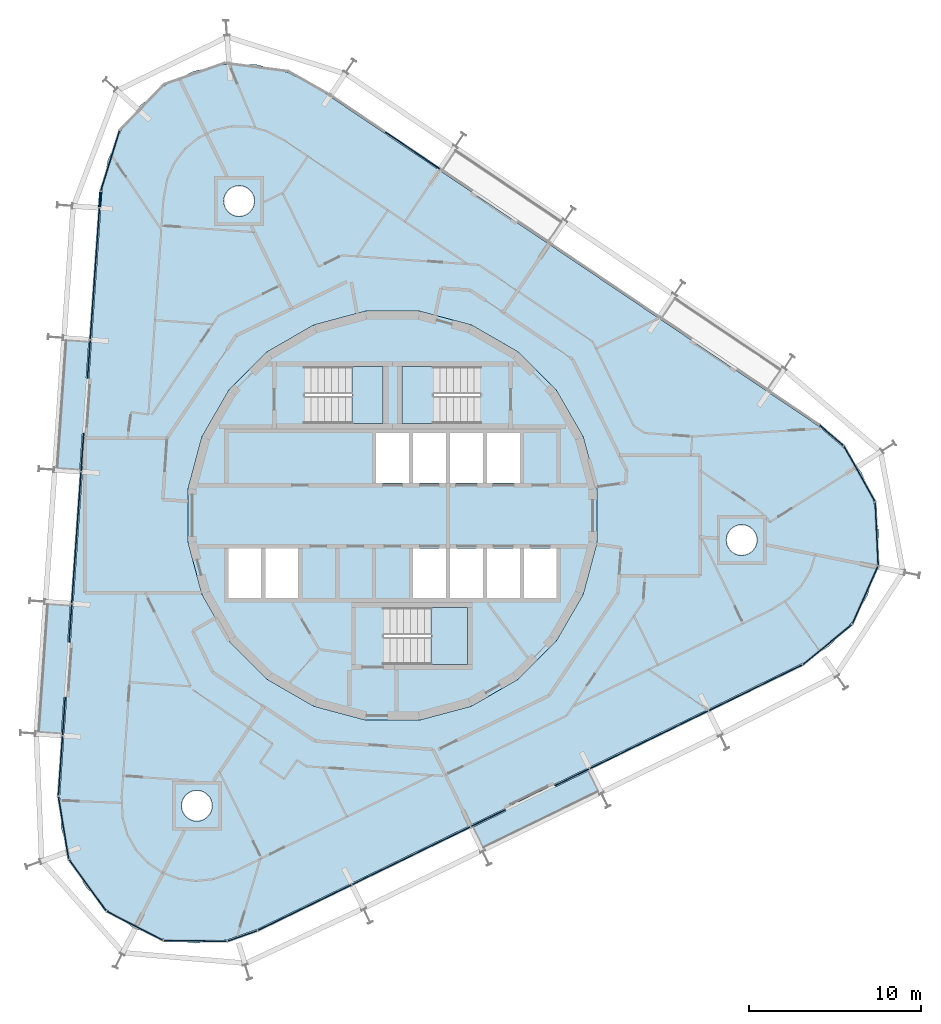
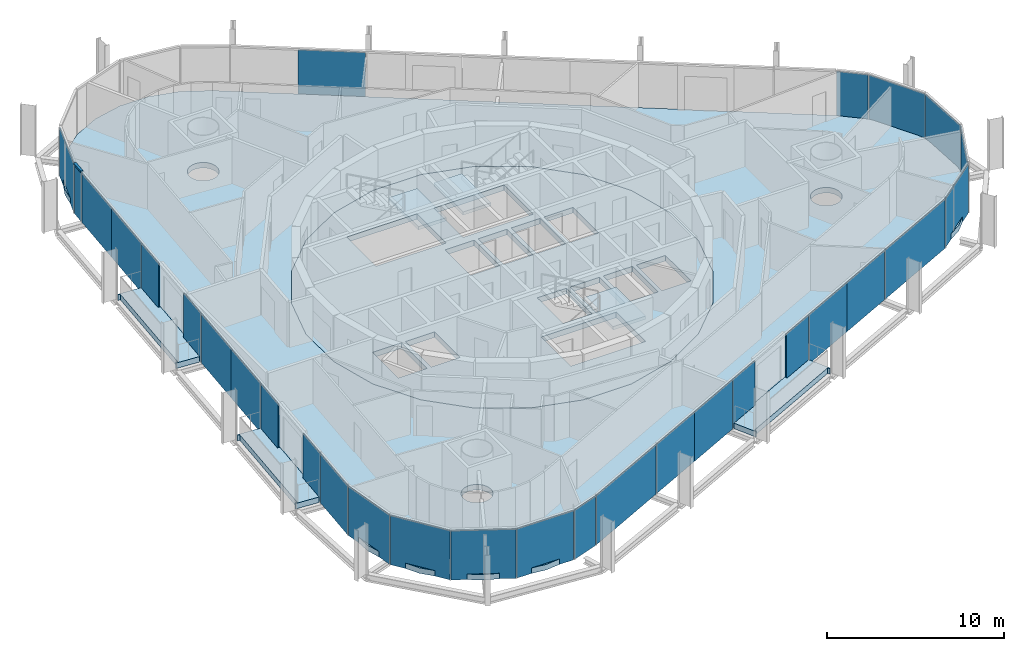
# One storey, part 10 of 18: 30 plates, 8 slabs, 1 member, 9 elements without a shape of their own.
"""IFC4 building model written with IfcOpenShell, lengths in metres."""

from ifc_helpers import new_model, si_unit, direction, frame, origin, origin_2d, place, context, subcontext, project, spatial, polyline, rectangle, outline, extrude, material, layer, layer_set, material_profile, profile_set, type_object, element, aggregate, save


model = new_model("IFC4")

# Units and contexts
model_context = context("Model", 3, precision=1e-05, world=origin(), true_north=direction((0.0, 1.0)))
body_context = subcontext(model_context, "Body", "Model", "MODEL_VIEW")
ifc_project = project(units=[si_unit("LENGTHUNIT", "METRE"), si_unit("AREAUNIT", "SQUARE_METRE"), si_unit("VOLUMEUNIT", "CUBIC_METRE"), si_unit("PLANEANGLEUNIT", "RADIAN"), si_unit("MASSUNIT", "GRAM", prefix="KILO")], contexts=[model_context])

# Site, building, storey
site_placement = place(None, origin())
site = spatial("IfcSite", under=ifc_project, at=site_placement, CompositionType="ELEMENT")
building_placement = place(site_placement, origin())
building = spatial("IfcBuilding", under=site, at=building_placement, Name="Spindle Arch Residences", CompositionType="ELEMENT")
storey_placement = place(building_placement, frame((0.0, 0.0, 198.89990234375)))
storey = spatial("IfcBuildingStorey", under=building, at=storey_placement, Name="L50", CompositionType="ELEMENT", Elevation=198.89990234375)

# Curtain wall, member
ifc_material_1 = material(Name="Aluminium bronze unitised frame with tinted glass", Category="aluminium")
ifc_layer_1 = layer(ifc_material_1, 0.159912109375)
ifc_layer_set_1 = layer_set([ifc_layer_1], Name="CW-D corner wall on the fillet arcs")
curtain_wall_type_1 = type_object("IfcCurtainWallType", Name="CW-D corner wall on the fillet arcs", PredefinedType="NOTDEFINED", material=ifc_layer_set_1)
curtain_wall_1_placement = place(storey_placement, origin())
curtain_wall_1 = element("IfcCurtainWall", 1, at=curtain_wall_1_placement, inside=storey, type_object=curtain_wall_type_1, Name="CW-D L50 run 3", PredefinedType="NOTDEFINED")
ifc_material_2 = material(Name="Aluminium bronze anodised transom", Category="aluminium")
ifc_material_profile = material_profile(ifc_material_2, rectangle(XDim=0.159912109375, YDim=0.1201171875, at=origin_2d()), Name="TR 120x160")
ifc_profile_set = profile_set([ifc_material_profile], Name="Aluminium bronze anodised transom")
member_type = type_object("IfcMemberType", Name="Bronze transom 120x160", PredefinedType="USERDEFINED", material=ifc_profile_set)
member_placement = place(storey_placement, frame((-16.98828125, 18.83447265625, 3.06005859375), z_axis=(-0.069692035463, -0.997568554132, 0.0), x_axis=(0.997568554132, -0.069692035463, 0.0)))
member = element("IfcMember", 2, at=member_placement, type_object=member_type, Name="CW-D transom 05", ObjectType="TRANSOM", PredefinedType="USERDEFINED", context=body_context, shape_type="SweptSolid", body=[
    extrude(rectangle(XDim=0.159912109375, YDim=0.1201171875, at=origin_2d()), origin(), (0.0, 0.0, 1.0), 0.90380859375),
])

# Slabs
ifc_material_3 = material(Name="Concrete C40/50", Category="concrete")
ifc_layer_2 = layer(ifc_material_3, 0.3798828125)
ifc_layer_set_2 = layer_set([ifc_layer_2], Name="Balcony slab 380")
slab_type_1 = type_object("IfcSlabType", Name="Balcony slab 380", PredefinedType="FLOOR", material=ifc_layer_set_2)
slab_1_placement = place(storey_placement, frame((0.0, 0.0, -0.3798828125)))
element("IfcSlab", 3, at=slab_1_placement, inside=storey, type_object=slab_type_1, Name="Balcony L50 bay 14", PredefinedType="FLOOR", context=body_context, shape_type="SweptSolid", body=[
    extrude(outline(polyline([(-19.16162109375, 10.2626953125), (-19.166748046875, 10.187744140625), (-19.01708984375, 10.17724609375), (-19.532958984375, 2.8017578125), (-19.6826171875, 2.81201171875), (-19.687744140625, 2.7373046875), (-18.201416015625, 2.63330078125), (-18.0498046875, 4.800048828125), (-17.890380859375, 4.788818359375), (-17.6669921875, 7.98095703125), (-17.82666015625, 7.9921875), (-17.67529296875, 10.15869140625), (-19.16162109375, 10.2626953125)])), origin(), (0.0, 0.0, 1.0), 0.3798828125),
])
slab_2_placement = place(storey_placement, frame((0.0, 0.0, -0.3798828125)))
element("IfcSlab", 4, at=slab_2_placement, inside=storey, type_object=slab_type_1, Name="Balcony L50 bay 16", PredefinedType="FLOOR", context=body_context, shape_type="SweptSolid", body=[
    extrude(outline(polyline([(-20.23486328125, -5.08740234375), (-20.240234375, -5.162109375), (-20.090576171875, -5.172607421875), (-20.606201171875, -12.54833984375), (-20.755859375, -12.537841796875), (-20.76123046875, -12.612548828125), (-19.274658203125, -12.716552734375), (-19.123291015625, -10.550048828125), (-18.963623046875, -10.561279296875), (-18.740478515625, -7.368896484375), (-18.900146484375, -7.35791015625), (-18.74853515625, -5.191162109375), (-20.23486328125, -5.08740234375)])), origin(), (0.0, 0.0, 1.0), 0.3798828125),
])
slab_3_placement = place(storey_placement, frame((0.0, 0.0, -0.3798828125)))
element("IfcSlab", 5, at=slab_3_placement, inside=storey, type_object=slab_type_1, Name="Balcony L50 bay 22", PredefinedType="FLOOR", context=body_context, shape_type="SweptSolid", body=[
    extrude(outline(polyline([(5.30322265625, -19.477294921875), (5.37060546875, -19.4443359375), (5.3046875, -19.3095703125), (11.9501953125, -16.068359375), (12.015869140625, -16.203125), (12.083251953125, -16.17041015625), (11.43017578125, -14.8310546875), (9.47802734375, -15.783203125), (9.407958984375, -15.639404296875), (6.53173828125, -17.042236328125), (6.60205078125, -17.18603515625), (4.64990234375, -18.137939453125), (5.30322265625, -19.477294921875)])), origin(), (0.0, 0.0, 1.0), 0.3798828125),
])
ifc_material_4 = material(Name="Concrete C50/60", Category="concrete")
ifc_layer_3 = layer(ifc_material_4, 0.3798828125)
ifc_layer_set_3 = layer_set([ifc_layer_3], Name="Core floor slab 380")
slab_type_2 = type_object("IfcSlabType", Name="Core floor slab 380", PredefinedType="FLOOR", material=ifc_layer_set_3)
slab_4_placement = place(storey_placement, frame((0.0, 0.0, -0.3798828125)))
element("IfcSlab", 6, at=slab_4_placement, inside=storey, type_object=slab_type_2, Name="Core floor L50", PredefinedType="FLOOR", context=body_context, shape_type="SweptSolid", body=[
    extrude(outline(polyline([(1.56640625, -11.897216796875), (4.59228515625, -11.086669921875), (7.30517578125, -9.520263671875), (9.520263671875, -7.30517578125), (11.086669921875, -4.59228515625), (11.897216796875, -1.56640625), (11.897216796875, 1.56640625), (11.086669921875, 4.59228515625), (9.520263671875, 7.30517578125), (7.30517578125, 9.520263671875), (4.59228515625, 11.086669921875), (1.56640625, 11.897216796875), (-1.56640625, 11.897216796875), (-4.59228515625, 11.086669921875), (-7.30517578125, 9.520263671875), (-9.520263671875, 7.30517578125), (-11.086669921875, 4.59228515625), (-11.897216796875, 1.56640625), (-11.897216796875, -1.56640625), (-11.086669921875, -4.59228515625), (-9.520263671875, -7.30517578125), (-7.30517578125, -9.520263671875), (-4.59228515625, -11.086669921875), (-1.56640625, -11.897216796875), (1.56640625, -11.897216796875)]), holes=[polyline([(-0.949951171875, 1.89990234375), (0.949951171875, 1.89990234375), (0.949951171875, 4.800048828125), (-0.949951171875, 4.800048828125), (-0.949951171875, 1.89990234375)]), polyline([(1.199951171875, 1.89990234375), (3.10009765625, 1.89990234375), (3.10009765625, 4.800048828125), (1.199951171875, 4.800048828125), (1.199951171875, 1.89990234375)]), polyline([(3.35009765625, 1.89990234375), (5.25, 1.89990234375), (5.25, 4.800048828125), (3.35009765625, 4.800048828125), (3.35009765625, 1.89990234375)]), polyline([(5.5, 1.89990234375), (7.39990234375, 1.89990234375), (7.39990234375, 4.800048828125), (5.5, 4.800048828125), (5.5, 1.89990234375)]), polyline([(-9.550048828125, -4.800048828125), (-7.64990234375, -4.800048828125), (-7.64990234375, -1.89990234375), (-9.550048828125, -1.89990234375), (-9.550048828125, -4.800048828125)]), polyline([(-7.39990234375, -4.800048828125), (-5.5, -4.800048828125), (-5.5, -1.89990234375), (-7.39990234375, -1.89990234375), (-7.39990234375, -4.800048828125)]), polyline([(1.199951171875, -4.800048828125), (3.10009765625, -4.800048828125), (3.10009765625, -1.89990234375), (1.199951171875, -1.89990234375), (1.199951171875, -4.800048828125)]), polyline([(3.35009765625, -4.800048828125), (5.25, -4.800048828125), (5.25, -1.89990234375), (3.35009765625, -1.89990234375), (3.35009765625, -4.800048828125)]), polyline([(5.5, -4.800048828125), (7.39990234375, -4.800048828125), (7.39990234375, -1.89990234375), (5.5, -1.89990234375), (5.5, -4.800048828125)]), polyline([(7.64990234375, -4.800048828125), (9.550048828125, -4.800048828125), (9.550048828125, -1.89990234375), (7.64990234375, -1.89990234375), (7.64990234375, -4.800048828125)]), polyline([(5.1298828125, 8.669921875), (0.550048828125, 8.669921875), (0.550048828125, 5.35009765625), (5.1298828125, 5.35009765625), (5.1298828125, 8.669921875)]), polyline([(-5.1298828125, 5.35009765625), (-0.550048828125, 5.35009765625), (-0.550048828125, 8.669921875), (-5.1298828125, 8.669921875), (-5.1298828125, 5.35009765625)]), polyline([(-0.530029296875, -8.669921875), (4.35009765625, -8.669921875), (4.35009765625, -5.35009765625), (-0.530029296875, -5.35009765625), (-0.530029296875, -8.669921875)])]), origin(), (0.0, 0.0, 1.0), 0.3798828125),
])

# Stair, slab
ifc_material_5 = material(Name="Concrete C50/60", Category="concrete")
stair_type = type_object("IfcStairType", Name="Exit stair 16 risers", PredefinedType="HALF_TURN_STAIR", material=ifc_material_5)
stair_1_placement = place(storey_placement, origin())
stair_1 = element("IfcStair", 7, at=stair_1_placement, inside=storey, type_object=stair_type, Name="L50 Exit stair ST1", PredefinedType="HALF_TURN_STAIR")
ifc_material_6 = material(Name="Concrete C50/60", Category="concrete")
ifc_layer_4 = layer(ifc_material_6, 0.219970703125)
ifc_layer_set_4 = layer_set([ifc_layer_4], Name="Exit stair landing 220")
slab_type_3 = type_object("IfcSlabType", Name="Exit stair landing 220", PredefinedType="LANDING", material=ifc_layer_set_4)
slab_5_placement = place(storey_placement, frame((0.0, 0.0, 1.530029296875)))
slab_5 = element("IfcSlab", 8, at=slab_5_placement, type_object=slab_type_3, Name="ST1 landing 1", PredefinedType="LANDING", context=body_context, shape_type="SweptSolid", body=[
    extrude(outline(polyline([(2.3701171875, 8.669921875), (0.550048828125, 8.669921875), (0.550048828125, 5.35009765625), (2.3701171875, 5.35009765625), (2.3701171875, 8.669921875)])), origin(), (0.0, 0.0, 1.0), 0.219970703125),
])
aggregate(stair_1, [slab_5])

stair_2_placement = place(storey_placement, origin())
stair_2 = element("IfcStair", 9, at=stair_2_placement, inside=storey, type_object=stair_type, Name="L50 Exit stair ST2", PredefinedType="HALF_TURN_STAIR")
slab_6_placement = place(storey_placement, frame((0.0, 0.0, 1.530029296875)))
slab_6 = element("IfcSlab", 10, at=slab_6_placement, type_object=slab_type_3, Name="ST2 landing 1", PredefinedType="LANDING", context=body_context, shape_type="SweptSolid", body=[
    extrude(outline(polyline([(-2.3701171875, 5.35009765625), (-0.550048828125, 5.35009765625), (-0.550048828125, 8.669921875), (-2.3701171875, 8.669921875), (-2.3701171875, 5.35009765625)])), origin(), (0.0, 0.0, 1.0), 0.219970703125),
])
aggregate(stair_2, [slab_6])

stair_3_placement = place(storey_placement, origin())
stair_3 = element("IfcStair", 11, at=stair_3_placement, inside=storey, type_object=stair_type, Name="L50 Exit stair ST3", PredefinedType="HALF_TURN_STAIR")
slab_7_placement = place(storey_placement, frame((0.0, 0.0, 1.530029296875)))
slab_7 = element("IfcSlab", 12, at=slab_7_placement, type_object=slab_type_3, Name="ST3 landing 1", PredefinedType="LANDING", context=body_context, shape_type="SweptSolid", body=[
    extrude(outline(polyline([(2.22998046875, -8.669921875), (4.35009765625, -8.669921875), (4.35009765625, -5.35009765625), (2.22998046875, -5.35009765625), (2.22998046875, -8.669921875)])), origin(), (0.0, 0.0, 1.0), 0.219970703125),
])
aggregate(stair_3, [slab_7])

# Slab
ifc_material_7 = material(Name="Concrete C40/50", Category="concrete")
ifc_layer_5 = layer(ifc_material_7, 0.3798828125)
ifc_layer_set_5 = layer_set([ifc_layer_5], Name="Floor slab 380")
slab_type_4 = type_object("IfcSlabType", Name="Floor slab 380", PredefinedType="FLOOR", material=ifc_layer_set_5)
slab_8_placement = place(storey_placement, frame((0.0, 0.0, -0.3798828125)))
element("IfcSlab", 13, at=slab_8_placement, inside=storey, type_object=slab_type_4, Name="Floor slab L50", PredefinedType="FLOOR", context=body_context, shape_type="SweptSolid", body=[
    extrude(outline(polyline([(-9.6318359375, -24.685791015625), (-11.47900390625, -24.8798828125), (-13.3212890625, -24.642822265625), (-15.059326171875, -23.9873046875), (-16.599365234375, -22.948486328125), (-17.858154296875, -21.582763671875), (-18.76806640625, -19.96337890625), (-19.280029296875, -18.177978515625), (-19.366455078125, -16.322509765625), (-16.906494140625, 18.85888671875), (-16.5625, 20.684326171875), (-15.80712890625, 22.381103515625), (-14.6806640625, 23.858154296875), (-13.243896484375, 25.035400390625), (-11.574462890625, 25.849609375), (-9.76220703125, 26.257080078125), (-7.90478515625, 26.2353515625), (-6.1025390625, 25.785888671875), (-4.452392578125, 24.93310546875), (24.785400390625, 5.2119140625), (26.1943359375, 4.00146484375), (27.2861328125, 2.498779296875), (28.001953125, 0.784912109375), (28.30322265625, -1.048095703125), (28.173583984375, -2.901123046875), (27.620361328125, -4.67431640625), (26.6728515625, -6.27197265625), (25.382568359375, -7.608154296875), (23.81884765625, -8.610595703125), (7.969970703125, -16.3408203125), (-7.87890625, -24.07080078125), (-9.6318359375, -24.685791015625)]), holes=[polyline([(7.30517578125, -9.520263671875), (9.520263671875, -7.30517578125), (11.086669921875, -4.59228515625), (11.897216796875, -1.56640625), (11.897216796875, 1.56640625), (11.086669921875, 4.59228515625), (9.520263671875, 7.30517578125), (7.30517578125, 9.520263671875), (4.59228515625, 11.086669921875), (1.56640625, 11.897216796875), (-1.56640625, 11.897216796875), (-4.59228515625, 11.086669921875), (-7.30517578125, 9.520263671875), (-9.520263671875, 7.30517578125), (-11.086669921875, 4.59228515625), (-11.897216796875, 1.56640625), (-11.897216796875, -1.56640625), (-11.086669921875, -4.59228515625), (-9.520263671875, -7.30517578125), (-7.30517578125, -9.520263671875), (-4.59228515625, -11.086669921875), (-1.56640625, -11.897216796875), (1.56640625, -11.897216796875), (4.59228515625, -11.086669921875), (7.30517578125, -9.520263671875)]), polyline([(-10.6376953125, -17.380615234375), (-10.554443359375, -17.224853515625), (-10.50341796875, -17.05615234375), (-10.486083984375, -16.880615234375), (-10.50341796875, -16.704833984375), (-10.554443359375, -16.5361328125), (-10.6376953125, -16.380615234375), (-10.74951171875, -16.244140625), (-10.885986328125, -16.132080078125), (-11.04150390625, -16.049072265625), (-11.21044921875, -15.997802734375), (-11.385986328125, -15.98046875), (-11.5615234375, -15.997802734375), (-11.73046875, -16.049072265625), (-11.885986328125, -16.132080078125), (-12.0224609375, -16.244140625), (-12.13427734375, -16.380615234375), (-12.217529296875, -16.5361328125), (-12.268798828125, -16.704833984375), (-12.285888671875, -16.880615234375), (-12.268798828125, -17.05615234375), (-12.217529296875, -17.224853515625), (-12.13427734375, -17.380615234375), (-12.0224609375, -17.516845703125), (-11.885986328125, -17.62890625), (-11.73046875, -17.7119140625), (-11.5615234375, -17.76318359375), (-11.385986328125, -17.780517578125), (-11.21044921875, -17.76318359375), (-11.04150390625, -17.7119140625), (-10.885986328125, -17.62890625), (-10.74951171875, -17.516845703125), (-10.6376953125, -17.380615234375)]), polyline([(-8.177490234375, 17.80078125), (-8.094482421875, 17.956298828125), (-8.043212890625, 18.125244140625), (-8.02587890625, 18.30078125), (-8.043212890625, 18.476318359375), (-8.094482421875, 18.645263671875), (-8.177490234375, 18.80078125), (-8.28955078125, 18.937255859375), (-8.42578125, 19.049072265625), (-8.58154296875, 19.13232421875), (-8.750244140625, 19.18359375), (-8.92578125, 19.20068359375), (-9.1015625, 19.18359375), (-9.270263671875, 19.13232421875), (-9.42578125, 19.049072265625), (-9.562255859375, 18.937255859375), (-9.67431640625, 18.80078125), (-9.75732421875, 18.645263671875), (-9.80859375, 18.476318359375), (-9.825927734375, 18.30078125), (-9.80859375, 18.125244140625), (-9.75732421875, 17.956298828125), (-9.67431640625, 17.80078125), (-9.562255859375, 17.664306640625), (-9.42578125, 17.552490234375), (-9.270263671875, 17.46923828125), (-9.1015625, 17.418212890625), (-8.92578125, 17.40087890625), (-8.750244140625, 17.418212890625), (-8.58154296875, 17.46923828125), (-8.42578125, 17.552490234375), (-8.28955078125, 17.664306640625), (-8.177490234375, 17.80078125)]), polyline([(20.9482421875, -2.056640625), (21.060302734375, -1.92041015625), (21.143310546875, -1.7646484375), (21.194580078125, -1.595947265625), (21.2119140625, -1.42041015625), (21.194580078125, -1.24462890625), (21.143310546875, -1.075927734375), (21.060302734375, -0.92041015625), (20.9482421875, -0.783935546875), (20.81201171875, -0.672119140625), (20.65625, -0.5888671875), (20.487548828125, -0.53759765625), (20.31201171875, -0.520263671875), (20.13623046875, -0.53759765625), (19.967529296875, -0.5888671875), (19.81201171875, -0.672119140625), (19.675537109375, -0.783935546875), (19.563720703125, -0.92041015625), (19.48046875, -1.075927734375), (19.42919921875, -1.24462890625), (19.411865234375, -1.42041015625), (19.42919921875, -1.595947265625), (19.48046875, -1.7646484375), (19.563720703125, -1.92041015625), (19.675537109375, -2.056640625), (19.81201171875, -2.168701171875), (19.967529296875, -2.251708984375), (20.13623046875, -2.302978515625), (20.31201171875, -2.3203125), (20.487548828125, -2.302978515625), (20.65625, -2.251708984375), (20.81201171875, -2.168701171875), (20.9482421875, -2.056640625)])]), origin(), (0.0, 0.0, 1.0), 0.3798828125),
])

# Curtain wall, plates
curtain_wall_2_placement = place(storey_placement, origin())
curtain_wall_2 = element("IfcCurtainWall", 14, at=curtain_wall_2_placement, inside=storey, type_object=curtain_wall_type_1, Name="CW-D L50 run 1", PredefinedType="NOTDEFINED")
ifc_material_8 = material(Name="Tinted double glazing over aluminium faced non-combustible spandrel zone (K0)", Category="aluminium")
ifc_layer_6 = layer(ifc_material_8, 0.06005859375)
ifc_layer_set_6 = layer_set([ifc_layer_6], Name="Unitised glass panel with E 60 spandrel zone")
plate_type = type_object("IfcPlateType", Name="Unitised glass panel with E 60 spandrel zone", PredefinedType="CURTAIN_PANEL", material=ifc_layer_set_6)
plate_1_placement = place(storey_placement, frame((21.11572265625, -10.01806640625, -0.3798828125), z_axis=(0.0, 0.0, 1.0), x_axis=(0.898794046299, 0.438371146789, 0.0)))
plate_1 = element("IfcPlate", 15, at=plate_1_placement, type_object=plate_type, Name="CW-D unit 00", PredefinedType="CURTAIN_PANEL", context=body_context, shape_type="SweptSolid", body=[
    extrude(rectangle(XDim=6.032958984375, YDim=0.06005859375, at=origin_2d()), origin(), (0.0, 0.0, 1.0), 3.3798828125),
])
plate_2_placement = place(storey_placement, frame((25.295166015625, -7.50146484375, -0.3798828125), z_axis=(0.0, 0.0, 1.0), x_axis=(0.773471595747, 0.633830963722, 0.0)))
plate_2 = element("IfcPlate", 16, at=plate_2_placement, type_object=plate_type, Name="CW-D unit 01", PredefinedType="CURTAIN_PANEL", context=body_context, shape_type="SweptSolid", body=[
    extrude(rectangle(XDim=3.666748046875, YDim=0.06005859375, at=origin_2d()), origin(), (0.0, 0.0, 1.0), 3.3798828125),
])
plate_3_placement = place(storey_placement, frame((27.494384765625, -4.6181640625, -0.3798828125), z_axis=(0.0, 0.0, 1.0), x_axis=(0.406736642422, 0.913545457934, 0.0)))
plate_3 = element("IfcPlate", 17, at=plate_3_placement, type_object=plate_type, Name="CW-D unit 02", PredefinedType="CURTAIN_PANEL", context=body_context, shape_type="SweptSolid", body=[
    extrude(rectangle(XDim=3.666748046875, YDim=0.06005859375, at=origin_2d()), origin(), (0.0, 0.0, 1.0), 3.3798828125),
])
plate_4_placement = place(storey_placement, frame((28.16552734375, -1.054443359375, -0.3798828125), z_axis=(0.0, 0.0, 1.0), x_axis=(-0.046525313877, 0.99891711126, 0.0)))
plate_4 = element("IfcPlate", 18, at=plate_4_placement, type_object=plate_type, Name="CW-D unit 03", PredefinedType="CURTAIN_PANEL", context=body_context, shape_type="SweptSolid", body=[
    extrude(rectangle(XDim=3.666748046875, YDim=0.06005859375, at=origin_2d()), origin(), (0.0, 0.0, 1.0), 3.3798828125),
])
plate_5_placement = place(storey_placement, frame((27.166015625, 2.43115234375, -0.3798828125), z_axis=(0.0, 0.0, 1.0), x_axis=(-0.489889716377, 0.871784414743, 0.0)))
plate_5 = element("IfcPlate", 19, at=plate_5_placement, type_object=plate_type, Name="CW-D unit 04", PredefinedType="CURTAIN_PANEL", context=body_context, shape_type="SweptSolid", body=[
    extrude(rectangle(XDim=3.666748046875, YDim=0.06005859375, at=origin_2d()), origin(), (0.0, 0.0, 1.0), 3.3798828125),
])
plate_6_placement = place(storey_placement, frame((25.541748046875, 4.6669921875, -0.3798828125), z_axis=(0.0, 0.0, 1.0), x_axis=(-0.758513582867, 0.651657229382, 0.0)))
plate_6 = element("IfcPlate", 20, at=plate_6_placement, type_object=plate_type, Name="CW-D unit 05", PredefinedType="CURTAIN_PANEL", context=body_context, shape_type="SweptSolid", body=[
    extrude(rectangle(XDim=1.816162109375, YDim=0.06005859375, at=origin_2d()), origin(), (0.0, 0.0, 1.0), 3.3798828125),
])
aggregate(curtain_wall_2, [plate_1, plate_2, plate_3, plate_4, plate_5, plate_6])

# Curtain wall, plate
ifc_material_9 = material(Name="Aluminium bronze unitised frame with tinted glass", Category="aluminium")
ifc_layer_7 = layer(ifc_material_9, 0.159912109375)
ifc_layer_set_7 = layer_set([ifc_layer_7], Name="CW-C typical residential unitised wall")
curtain_wall_type_2 = type_object("IfcCurtainWallType", Name="CW-C typical residential unitised wall", PredefinedType="NOTDEFINED", material=ifc_layer_set_7)
curtain_wall_3_placement = place(storey_placement, origin())
curtain_wall_3 = element("IfcCurtainWall", 21, at=curtain_wall_3_placement, inside=storey, type_object=curtain_wall_type_2, Name="CW-C L50 run 2", PredefinedType="NOTDEFINED")
plate_7_placement = place(storey_placement, frame((1.162841796875, 21.2421875, -0.3798828125), z_axis=(0.0, 0.0, 1.0), x_axis=(-0.829037572555, 0.559192903471, 0.0)))
plate_7 = element("IfcPlate", 22, at=plate_7_placement, type_object=plate_type, Name="CW-C unit 08A", PredefinedType="CURTAIN_PANEL", context=body_context, shape_type="SweptSolid", body=[
    extrude(rectangle(XDim=3.81689453125, YDim=0.06005859375, at=origin_2d()), origin(), (0.0, 0.0, 1.0), 3.3798828125),
])
aggregate(curtain_wall_3, [plate_7])

# Plate
plate_8_placement = place(storey_placement, frame((-16.43115234375, 20.643310546875, -0.3798828125), z_axis=(0.0, 0.0, 1.0), x_axis=(-0.297930275218, -0.954587634064, 0.0)))
plate_8 = element("IfcPlate", 23, at=plate_8_placement, type_object=plate_type, Name="CW-D unit 04", PredefinedType="CURTAIN_PANEL", context=body_context, shape_type="SweptSolid", body=[
    extrude(rectangle(XDim=3.666748046875, YDim=0.06005859375, at=origin_2d()), origin(), (0.0, 0.0, 1.0), 3.3798828125),
])

plate_9_placement = place(storey_placement, frame((-17.019775390625, 18.3837890625, -0.3798828125), z_axis=(0.0, 0.0, 1.0), x_axis=(-0.069756473744, -0.99756405026, 0.0)))
plate_9 = element("IfcPlate", 24, at=plate_9_placement, type_object=plate_type, Name="CW-D unit 05", PredefinedType="CURTAIN_PANEL", context=body_context, shape_type="SweptSolid", body=[
    extrude(rectangle(XDim=0.90380859375, YDim=0.06005859375, at=origin_2d()), origin(), (0.0, 0.0, 1.0), 3.3798828125),
])

aggregate(curtain_wall_1, [plate_8, member, plate_9])

# Curtain wall, plates
curtain_wall_4_placement = place(storey_placement, origin())
curtain_wall_4 = element("IfcCurtainWall", 25, at=curtain_wall_4_placement, inside=storey, type_object=curtain_wall_type_2, Name="CW-C L50 run 4", PredefinedType="NOTDEFINED")
plate_10_placement = place(storey_placement, frame((-17.188720703125, 15.96923828125, -0.3798828125), z_axis=(0.0, 0.0, 1.0), x_axis=(-0.069756473744, -0.99756405026, 0.0)))
plate_10 = element("IfcPlate", 26, at=plate_10_placement, type_object=plate_type, Name="CW-C unit 12A", PredefinedType="CURTAIN_PANEL", context=body_context, shape_type="SweptSolid", body=[
    extrude(rectangle(XDim=3.81689453125, YDim=0.06005859375, at=origin_2d()), origin(), (0.0, 0.0, 1.0), 3.3798828125),
])
plate_11_placement = place(storey_placement, frame((-17.454833984375, 12.16162109375, -0.3798828125), z_axis=(0.0, 0.0, 1.0), x_axis=(-0.069756473744, -0.99756405026, 0.0)))
plate_11 = element("IfcPlate", 27, at=plate_11_placement, type_object=plate_type, Name="CW-C unit 12B", PredefinedType="CURTAIN_PANEL", context=body_context, shape_type="SweptSolid", body=[
    extrude(rectangle(XDim=3.81689453125, YDim=0.06005859375, at=origin_2d()), origin(), (0.0, 0.0, 1.0), 3.3798828125),
])
plate_12_placement = place(storey_placement, frame((-17.669677734375, 9.09228515625, -0.3798828125), z_axis=(0.0, 0.0, 1.0), x_axis=(-0.069756473744, -0.99756405026, 0.0)))
plate_12 = element("IfcPlate", 28, at=plate_12_placement, type_object=plate_type, Name="CW-C unit 13L", PredefinedType="CURTAIN_PANEL", context=body_context, shape_type="SweptSolid", body=[
    extrude(rectangle(XDim=2.216796875, YDim=0.06005859375, at=origin_2d()), origin(), (0.0, 0.0, 1.0), 3.3798828125),
])
plate_13_placement = place(storey_placement, frame((-18.04736328125, 3.688720703125, -0.3798828125), z_axis=(0.0, 0.0, 1.0), x_axis=(-0.069756473744, -0.99756405026, 0.0)))
plate_13 = element("IfcPlate", 29, at=plate_13_placement, type_object=plate_type, Name="CW-C unit 13R", PredefinedType="CURTAIN_PANEL", context=body_context, shape_type="SweptSolid", body=[
    extrude(rectangle(XDim=2.216796875, YDim=0.06005859375, at=origin_2d()), origin(), (0.0, 0.0, 1.0), 3.3798828125),
])
plate_14_placement = place(storey_placement, frame((-18.261962890625, 0.619140625, -0.3798828125), z_axis=(0.0, 0.0, 1.0), x_axis=(-0.069756473744, -0.99756405026, 0.0)))
plate_14 = element("IfcPlate", 30, at=plate_14_placement, type_object=plate_type, Name="CW-C unit 14A", PredefinedType="CURTAIN_PANEL", context=body_context, shape_type="SweptSolid", body=[
    extrude(rectangle(XDim=3.81689453125, YDim=0.06005859375, at=origin_2d()), origin(), (0.0, 0.0, 1.0), 3.3798828125),
])
plate_15_placement = place(storey_placement, frame((-18.5283203125, -3.188232421875, -0.3798828125), z_axis=(0.0, 0.0, 1.0), x_axis=(-0.069756473744, -0.99756405026, 0.0)))
plate_15 = element("IfcPlate", 31, at=plate_15_placement, type_object=plate_type, Name="CW-C unit 14B", PredefinedType="CURTAIN_PANEL", context=body_context, shape_type="SweptSolid", body=[
    extrude(rectangle(XDim=3.81689453125, YDim=0.06005859375, at=origin_2d()), origin(), (0.0, 0.0, 1.0), 3.3798828125),
])
plate_16_placement = place(storey_placement, frame((-18.742919921875, -6.257568359375, -0.3798828125), z_axis=(0.0, 0.0, 1.0), x_axis=(-0.069756473744, -0.99756405026, 0.0)))
plate_16 = element("IfcPlate", 32, at=plate_16_placement, type_object=plate_type, Name="CW-C unit 15L", PredefinedType="CURTAIN_PANEL", context=body_context, shape_type="SweptSolid", body=[
    extrude(rectangle(XDim=2.216796875, YDim=0.06005859375, at=origin_2d()), origin(), (0.0, 0.0, 1.0), 3.3798828125),
])
plate_17_placement = place(storey_placement, frame((-19.120849609375, -11.661376953125, -0.3798828125), z_axis=(0.0, 0.0, 1.0), x_axis=(-0.069756473744, -0.99756405026, 0.0)))
plate_17 = element("IfcPlate", 33, at=plate_17_placement, type_object=plate_type, Name="CW-C unit 15R", PredefinedType="CURTAIN_PANEL", context=body_context, shape_type="SweptSolid", body=[
    extrude(rectangle(XDim=2.216796875, YDim=0.06005859375, at=origin_2d()), origin(), (0.0, 0.0, 1.0), 3.3798828125),
])
aggregate(curtain_wall_4, [plate_10, plate_11, plate_12, plate_13, plate_14, plate_15, plate_16, plate_17])

curtain_wall_5_placement = place(storey_placement, origin())
curtain_wall_5 = element("IfcCurtainWall", 34, at=curtain_wall_5_placement, inside=storey, type_object=curtain_wall_type_1, Name="CW-D L50 run 5", PredefinedType="NOTDEFINED")
plate_18_placement = place(storey_placement, frame((-19.3232421875, -14.556884765625, -0.3798828125), z_axis=(0.0, 0.0, 1.0), x_axis=(-0.069756473744, -0.99756405026, 0.0)))
plate_18 = element("IfcPlate", 35, at=plate_18_placement, type_object=plate_type, Name="CW-D unit 00", PredefinedType="CURTAIN_PANEL", context=body_context, shape_type="SweptSolid", body=[
    extrude(rectangle(XDim=3.468505859375, YDim=0.06005859375, at=origin_2d()), origin(), (0.0, 0.0, 1.0), 3.3798828125),
])
plate_19_placement = place(storey_placement, frame((-19.14404296875, -18.155517578125, -0.3798828125), z_axis=(0.0, 0.0, 1.0), x_axis=(0.162177925821, -0.986761531666, 0.0)))
plate_19 = element("IfcPlate", 36, at=plate_19_placement, type_object=plate_type, Name="CW-D unit 01", PredefinedType="CURTAIN_PANEL", context=body_context, shape_type="SweptSolid", body=[
    extrude(rectangle(XDim=3.666748046875, YDim=0.06005859375, at=origin_2d()), origin(), (0.0, 0.0, 1.0), 3.3798828125),
])
plate_20_placement = place(storey_placement, frame((-17.74658203125, -21.501708984375, -0.3798828125), z_axis=(0.0, 0.0, 1.0), x_axis=(0.587785254679, -0.809016992641, 0.0)))
plate_20 = element("IfcPlate", 37, at=plate_20_placement, type_object=plate_type, Name="CW-D unit 02", PredefinedType="CURTAIN_PANEL", context=body_context, shape_type="SweptSolid", body=[
    extrude(rectangle(XDim=3.666748046875, YDim=0.06005859375, at=origin_2d()), origin(), (0.0, 0.0, 1.0), 3.3798828125),
])
plate_21_placement = place(storey_placement, frame((-14.99609375, -23.86474609375, -0.3798828125), z_axis=(0.0, 0.0, 1.0), x_axis=(0.88835025098, -0.459166453025, 0.0)))
plate_21 = element("IfcPlate", 38, at=plate_21_placement, type_object=plate_type, Name="CW-D unit 03", PredefinedType="CURTAIN_PANEL", context=body_context, shape_type="SweptSolid", body=[
    extrude(rectangle(XDim=3.666748046875, YDim=0.06005859375, at=origin_2d()), origin(), (0.0, 0.0, 1.0), 3.3798828125),
])
plate_22_placement = place(storey_placement, frame((-11.4775390625, -24.7421875, -0.3798828125), z_axis=(0.0, 0.0, 1.0), x_axis=(0.999932308032, -0.011635263346, 0.0)))
plate_22 = element("IfcPlate", 39, at=plate_22_placement, type_object=plate_type, Name="CW-D unit 04", PredefinedType="CURTAIN_PANEL", context=body_context, shape_type="SweptSolid", body=[
    extrude(rectangle(XDim=3.666748046875, YDim=0.06005859375, at=origin_2d()), origin(), (0.0, 0.0, 1.0), 3.3798828125),
])
plate_23_placement = place(storey_placement, frame((-8.72900390625, -24.453369140625, -0.3798828125), z_axis=(0.0, 0.0, 1.0), x_axis=(0.943608504957, 0.33106342198, 0.0)))
plate_23 = element("IfcPlate", 40, at=plate_23_placement, type_object=plate_type, Name="CW-D unit 05", PredefinedType="CURTAIN_PANEL", context=body_context, shape_type="SweptSolid", body=[
    extrude(rectangle(XDim=1.816162109375, YDim=0.06005859375, at=origin_2d()), origin(), (0.0, 0.0, 1.0), 3.3798828125),
])
plate_24_placement = place(storey_placement, frame((-5.105712890625, -22.80712890625, -0.3798828125), z_axis=(0.0, 0.0, 1.0), x_axis=(0.898794046299, 0.438371146789, 0.0)))
plate_24 = element("IfcPlate", 41, at=plate_24_placement, type_object=plate_type, Name="CW-D unit 06", PredefinedType="CURTAIN_PANEL", context=body_context, shape_type="SweptSolid", body=[
    extrude(rectangle(XDim=6.032958984375, YDim=0.06005859375, at=origin_2d()), origin(), (0.0, 0.0, 1.0), 3.3798828125),
])
aggregate(curtain_wall_5, [plate_18, plate_19, plate_20, plate_21, plate_22, plate_23, plate_24])

curtain_wall_6_placement = place(storey_placement, origin())
curtain_wall_6 = element("IfcCurtainWall", 42, at=curtain_wall_6_placement, inside=storey, type_object=curtain_wall_type_2, Name="CW-C L50 run 6", PredefinedType="NOTDEFINED")
plate_25_placement = place(storey_placement, frame((-0.625244140625, -20.6220703125, -0.3798828125), z_axis=(0.0, 0.0, 1.0), x_axis=(0.898794046299, 0.438371146789, 0.0)))
plate_25 = element("IfcPlate", 43, at=plate_25_placement, type_object=plate_type, Name="CW-C unit 20A", PredefinedType="CURTAIN_PANEL", context=body_context, shape_type="SweptSolid", body=[
    extrude(rectangle(XDim=3.81689453125, YDim=0.06005859375, at=origin_2d()), origin(), (0.0, 0.0, 1.0), 3.3798828125),
])
plate_26_placement = place(storey_placement, frame((2.80517578125, -18.94873046875, -0.3798828125), z_axis=(0.0, 0.0, 1.0), x_axis=(0.898794046299, 0.438371146789, 0.0)))
plate_26 = element("IfcPlate", 44, at=plate_26_placement, type_object=plate_type, Name="CW-C unit 20B", PredefinedType="CURTAIN_PANEL", context=body_context, shape_type="SweptSolid", body=[
    extrude(rectangle(XDim=3.81689453125, YDim=0.06005859375, at=origin_2d()), origin(), (0.0, 0.0, 1.0), 3.3798828125),
])
plate_27_placement = place(storey_placement, frame((5.570556640625, -17.599853515625, -0.3798828125), z_axis=(0.0, 0.0, 1.0), x_axis=(0.898794046299, 0.438371146789, 0.0)))
plate_27 = element("IfcPlate", 45, at=plate_27_placement, type_object=plate_type, Name="CW-C unit 21L", PredefinedType="CURTAIN_PANEL", context=body_context, shape_type="SweptSolid", body=[
    extrude(rectangle(XDim=2.216796875, YDim=0.06005859375, at=origin_2d()), origin(), (0.0, 0.0, 1.0), 3.3798828125),
])
plate_28_placement = place(storey_placement, frame((10.439208984375, -15.225341796875, -0.3798828125), z_axis=(0.0, 0.0, 1.0), x_axis=(0.898794046299, 0.438371146789, 0.0)))
plate_28 = element("IfcPlate", 46, at=plate_28_placement, type_object=plate_type, Name="CW-C unit 21R", PredefinedType="CURTAIN_PANEL", context=body_context, shape_type="SweptSolid", body=[
    extrude(rectangle(XDim=2.216796875, YDim=0.06005859375, at=origin_2d()), origin(), (0.0, 0.0, 1.0), 3.3798828125),
])
plate_29_placement = place(storey_placement, frame((13.204833984375, -13.87646484375, -0.3798828125), z_axis=(0.0, 0.0, 1.0), x_axis=(0.898794046299, 0.438371146789, 0.0)))
plate_29 = element("IfcPlate", 47, at=plate_29_placement, type_object=plate_type, Name="CW-C unit 00A", PredefinedType="CURTAIN_PANEL", context=body_context, shape_type="SweptSolid", body=[
    extrude(rectangle(XDim=3.81689453125, YDim=0.06005859375, at=origin_2d()), origin(), (0.0, 0.0, 1.0), 3.3798828125),
])
plate_30_placement = place(storey_placement, frame((16.63525390625, -12.203369140625, -0.3798828125), z_axis=(0.0, 0.0, 1.0), x_axis=(0.898794046299, 0.438371146789, 0.0)))
plate_30 = element("IfcPlate", 48, at=plate_30_placement, type_object=plate_type, Name="CW-C unit 00B", PredefinedType="CURTAIN_PANEL", context=body_context, shape_type="SweptSolid", body=[
    extrude(rectangle(XDim=3.81689453125, YDim=0.06005859375, at=origin_2d()), origin(), (0.0, 0.0, 1.0), 3.3798828125),
])
aggregate(curtain_wall_6, [plate_25, plate_26, plate_27, plate_28, plate_29, plate_30])

save(model, "model.ifc")
